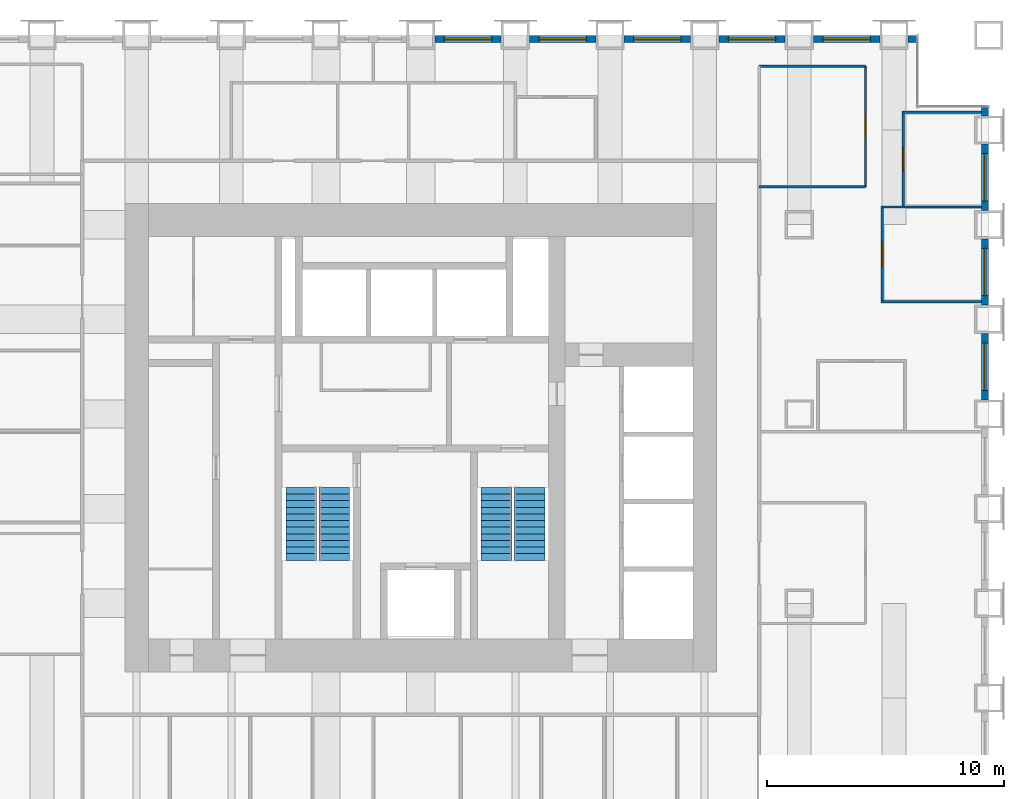
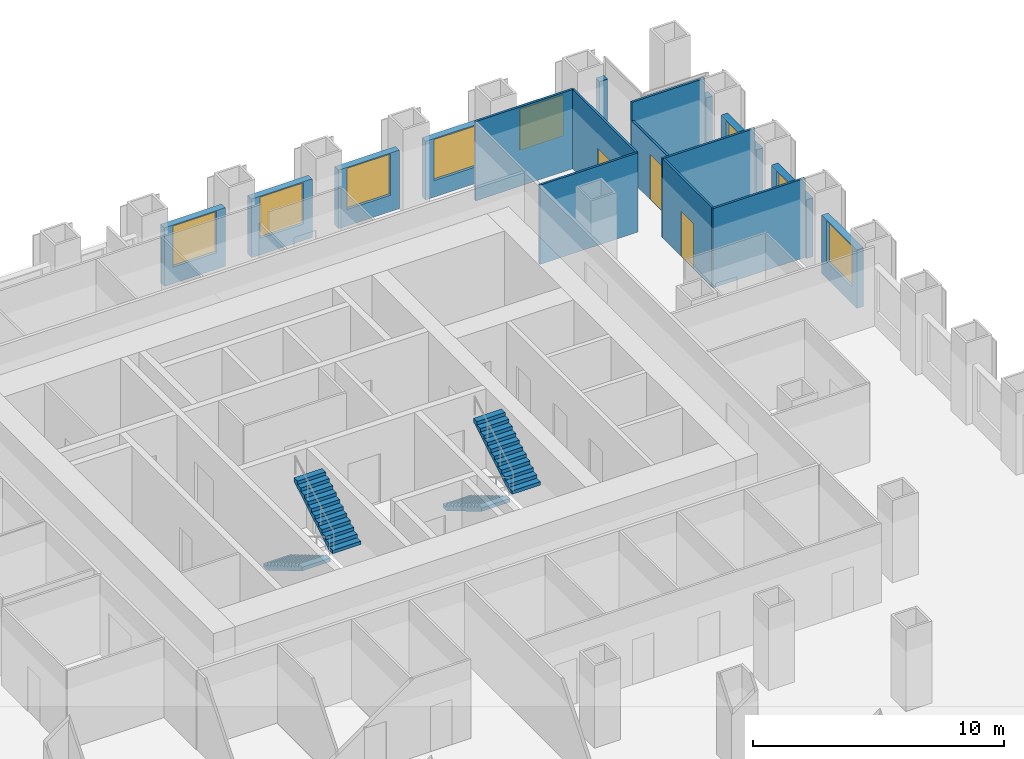
# One storey, part 12 of 14: 18 walls, 8 windows, 4 stair flights, 3 doors, 11 openings, 2 elements without a shape of their own.
"""IFC4 building model written with IfcOpenShell, lengths in metres."""

from ifc_helpers import new_model, si_unit, direction, frame, frame_2d, origin, place, context, subcontext, project, spatial, polyline, rectangle, outline, extrude, material, layer, layer_set, type_object, element, fill, aggregate, save


model = new_model("IFC4")

# Units and contexts
model_context = context("Model", 3, precision=1e-05, world=origin(), true_north=direction((0.0, 1.0)))
body_context = subcontext(model_context, "Body", "Model", "MODEL_VIEW")
ifc_project = project(units=[si_unit("LENGTHUNIT", "METRE"), si_unit("AREAUNIT", "SQUARE_METRE"), si_unit("VOLUMEUNIT", "CUBIC_METRE"), si_unit("PLANEANGLEUNIT", "RADIAN"), si_unit("MASSUNIT", "GRAM", prefix="KILO")], contexts=[model_context])

# Site, building, storey
site_placement = place(None, origin())
site = spatial("IfcSite", under=ifc_project, at=site_placement, CompositionType="ELEMENT")
building_placement = place(site_placement, origin())
building = spatial("IfcBuilding", under=site, at=building_placement, Name="Rimbunsela Tower", CompositionType="ELEMENT")
storey_placement = place(building_placement, frame((0.0, 0.0, 15.0)))
storey = spatial("IfcBuildingStorey", under=building, at=storey_placement, Name="L03", CompositionType="ELEMENT", Elevation=15.0)

# Walls
ifc_material_1 = material(Name="Gypsum board on steel studs", Category="steel")
ifc_layer_1 = layer(ifc_material_1, 0.10009765625)
ifc_layer_set_1 = layer_set([ifc_layer_1], Name="Office partition 100")
wall_type_1 = type_object("IfcWallType", Name="Office partition 100", PredefinedType="PARTITIONING", material=ifc_layer_set_1)
for number, where, z_axis, x_axis, name in (
    (1, (49.449951171875, 32.75, 0.0), (0.0, 0.0, 1.0), (1.0, 0.0, 0.0), "Office partition"),
    (2, (49.449951171875, 36.75, 0.0), (0.0, 0.0, 1.0), (1.0, 0.0, 0.0), "Office partition"),
):
    element("IfcWall", number, at=place(storey_placement, frame(where, z_axis=z_axis, x_axis=x_axis)), inside=storey, type_object=wall_type_1, Name=name, PredefinedType="PARTITIONING", context=body_context, shape_type="SweptSolid", body=[
        extrude(rectangle(XDim=4.25, YDim=0.10009765625, at=frame_2d((2.125, 0.0))), origin(), (0.0, 0.0, 1.0), 3.85009765625),
    ])
wall_1_placement = place(storey_placement, frame((50.35009765625, 40.75, 0.0), z_axis=(0.0, 0.0, 1.0), x_axis=(1.0, 0.0, 0.0)))
element("IfcWall", 3, at=wall_1_placement, inside=storey, type_object=wall_type_1, Name="Office partition", PredefinedType="PARTITIONING", context=body_context, shape_type="SweptSolid", body=[
    extrude(rectangle(XDim=3.349853515625, YDim=0.10009765625, at=frame_2d((1.6748046875, 0.0))), origin(), (0.0, 0.0, 1.0), 3.85009765625),
])

# Wall, opening, door
wall_2_placement = place(storey_placement, frame((49.5, 32.800048828125, 0.0), z_axis=(0.0, 0.0, 1.0), x_axis=(0.0, 1.0, 0.0)))
wall_2 = element("IfcWall", 4, at=wall_2_placement, inside=storey, type_object=wall_type_1, Name="Office partition", PredefinedType="PARTITIONING", context=body_context, shape_type="SweptSolid", body=[
    extrude(rectangle(XDim=3.89990234375, YDim=0.10009765625, at=frame_2d((1.949951171875, 0.0))), origin(), (0.0, 0.0, 1.0), 3.85009765625),
])
opening_1_placement = place(wall_2_placement, frame((1.449951171875, 0.0, 0.0)))
opening_1 = element("IfcOpeningElement", 5, at=opening_1_placement, cuts=wall_2, Name="Opening D16", PredefinedType="OPENING", context=body_context, shape_type="SweptSolid", body=[
    extrude(rectangle(XDim=1.0, YDim=2.199951171875, at=frame_2d((0.5, 1.10009765625))), frame((0.0, 0.06005859375, 0.0), z_axis=(0.0, -1.0, 0.0), x_axis=(1.0, 0.0, 0.0)), (0.0, 0.0, 1.0), 0.1201171875),
])
ifc_material_2 = material(Name="Timber door", Category="wood")
door_type_1 = type_object("IfcDoorType", Name="Office door 1000", OperationType="SINGLE_SWING_LEFT", PredefinedType="DOOR", material=ifc_material_2)
door_1_placement = place(opening_1_placement, origin())
door_1 = element("IfcDoor", 6, at=door_1_placement, inside=storey, type_object=door_type_1, Name="Office door", OperationType="SINGLE_SWING_LEFT", OverallHeight=2.199951171875, OverallWidth=1.0, PredefinedType="DOOR", context=body_context, shape_type="SweptSolid", body=[
    extrude(rectangle(XDim=1.0, YDim=2.199951171875, at=frame_2d((0.5, 1.10009765625))), frame((0.0, 0.02490234375, 0.0), z_axis=(0.0, -1.0, 0.0), x_axis=(1.0, 0.0, 0.0)), (0.0, 0.0, 1.0), 0.050048828125),
])
fill(opening_1, door_1)

wall_3_placement = place(storey_placement, frame((50.39990234375, 36.800048828125, 0.0), z_axis=(0.0, 0.0, 1.0), x_axis=(0.0, 1.0, 0.0)))
wall_3 = element("IfcWall", 7, at=wall_3_placement, inside=storey, type_object=wall_type_1, Name="Office partition", PredefinedType="PARTITIONING", context=body_context, shape_type="SweptSolid", body=[
    extrude(rectangle(XDim=3.949951171875, YDim=0.10009765625, at=frame_2d((1.97509765625, 0.0))), origin(), (0.0, 0.0, 1.0), 2.949951171875),
])
opening_2_placement = place(wall_3_placement, frame((1.449951171875, 0.0, 0.0)))
opening_2 = element("IfcOpeningElement", 8, at=opening_2_placement, cuts=wall_3, Name="Opening D16", PredefinedType="OPENING", context=body_context, shape_type="SweptSolid", body=[
    extrude(rectangle(XDim=1.0, YDim=2.199951171875, at=frame_2d((0.5, 1.10009765625))), frame((0.0, 0.06005859375, 0.0), z_axis=(0.0, -1.0, 0.0), x_axis=(1.0, 0.0, 0.0)), (0.0, 0.0, 1.0), 0.1201171875),
])
door_2_placement = place(opening_2_placement, origin())
door_2 = element("IfcDoor", 9, at=door_2_placement, inside=storey, type_object=door_type_1, Name="Office door", OperationType="SINGLE_SWING_LEFT", OverallHeight=2.199951171875, OverallWidth=1.0, PredefinedType="DOOR", context=body_context, shape_type="SweptSolid", body=[
    extrude(rectangle(XDim=1.0, YDim=2.199951171875, at=frame_2d((0.5, 1.10009765625))), frame((0.0, 0.02490234375, 0.0), z_axis=(0.0, -1.0, 0.0), x_axis=(1.0, 0.0, 0.0)), (0.0, 0.0, 1.0), 0.050048828125),
])
fill(opening_2, door_2)

# Wall
wall_4_placement = place(storey_placement, frame((44.300048828125, 37.60009765625, 0.0), z_axis=(0.0, 0.0, 1.0), x_axis=(1.0, 0.0, 0.0)))
element("IfcWall", 10, at=wall_4_placement, inside=storey, type_object=wall_type_1, Name="Office partition", PredefinedType="PARTITIONING", context=body_context, shape_type="SweptSolid", body=[
    extrude(rectangle(XDim=4.5, YDim=0.10009765625, at=frame_2d((2.25, 0.0))), origin(), (0.0, 0.0, 1.0), 3.85009765625),
])

# Wall, opening, door
wall_5_placement = place(storey_placement, frame((48.800048828125, 37.60009765625, 0.0), z_axis=(0.0, 0.0, 1.0), x_axis=(0.0, 1.0, 0.0)))
wall_5 = element("IfcWall", 11, at=wall_5_placement, inside=storey, type_object=wall_type_1, Name="Office partition", PredefinedType="PARTITIONING", context=body_context, shape_type="SweptSolid", body=[
    extrude(rectangle(XDim=5.099853515625, YDim=0.10009765625, at=frame_2d((2.5498046875, 0.0))), origin(), (0.0, 0.0, 1.0), 3.85009765625),
])
opening_3_placement = place(wall_5_placement, frame((2.050048828125, 0.0, 0.0)))
opening_3 = element("IfcOpeningElement", 12, at=opening_3_placement, cuts=wall_5, Name="Opening D17", PredefinedType="OPENING", context=body_context, shape_type="SweptSolid", body=[
    extrude(rectangle(XDim=1.0, YDim=2.199951171875, at=frame_2d((0.5, 1.10009765625))), frame((0.0, 0.06005859375, 0.0), z_axis=(0.0, -1.0, 0.0), x_axis=(1.0, 0.0, 0.0)), (0.0, 0.0, 1.0), 0.1201171875),
])
ifc_material_3 = material(Name="Glazed aluminium door", Category="aluminium")
door_type_2 = type_object("IfcDoorType", Name="Meeting room door 1000 glazed", OperationType="SINGLE_SWING_RIGHT", PredefinedType="DOOR", material=ifc_material_3)
door_3_placement = place(opening_3_placement, origin())
door_3 = element("IfcDoor", 13, at=door_3_placement, inside=storey, type_object=door_type_2, Name="Reception door", OperationType="SINGLE_SWING_RIGHT", OverallHeight=2.199951171875, OverallWidth=1.0, PredefinedType="DOOR", context=body_context, shape_type="SweptSolid", body=[
    extrude(rectangle(XDim=1.0, YDim=2.199951171875, at=frame_2d((0.5, 1.10009765625))), frame((0.0, 0.02490234375, 0.0), z_axis=(0.0, -1.0, 0.0), x_axis=(1.0, 0.0, 0.0)), (0.0, 0.0, 1.0), 0.050048828125),
])
fill(opening_3, door_3)

# Wall
wall_6_placement = place(storey_placement, frame((48.800048828125, 42.699951171875, 0.0), z_axis=(0.0, 0.0, 1.0), x_axis=(-1.0, 0.0, 0.0)))
element("IfcWall", 14, at=wall_6_placement, inside=storey, type_object=wall_type_1, Name="Office partition", PredefinedType="PARTITIONING", context=body_context, shape_type="SweptSolid", body=[
    extrude(rectangle(XDim=4.5, YDim=0.10009765625, at=frame_2d((2.25, 0.0))), origin(), (0.0, 0.0, 1.0), 3.85009765625),
])

# Wall, opening, window
ifc_material_4 = material(Name="Precast concrete fc' 35 MPa", Category="concrete")
ifc_layer_2 = layer(ifc_material_4, 0.300048828125)
ifc_layer_set_2 = layer_set([ifc_layer_2], Name="Precast concrete fc' 35 MPa")
wall_type_2 = type_object("IfcWallType", Name="Precast facade panel 300", PredefinedType="ELEMENTEDWALL", material=ifc_layer_set_2)
wall_7_placement = place(storey_placement, frame((53.85009765625, 28.60009765625, 0.0), z_axis=(0.0, 0.0, 1.0), x_axis=(0.0, 1.0, 0.0)))
wall_7 = element("IfcWall", 15, at=wall_7_placement, inside=storey, type_object=wall_type_2, Name="Facade panel E L03", PredefinedType="ELEMENTEDWALL", context=body_context, shape_type="SweptSolid", body=[
    extrude(rectangle(XDim=2.7998046875, YDim=0.300048828125, at=frame_2d((1.39990234375, 0.0))), origin(), (0.0, 0.0, 1.0), 2.85009765625),
])
opening_4_placement = place(wall_7_placement, frame((0.39990234375, 0.0, 0.800048828125)))
opening_4 = element("IfcOpeningElement", 16, at=opening_4_placement, cuts=wall_7, Name="Opening W1", PredefinedType="OPENING", context=body_context, shape_type="SweptSolid", body=[
    extrude(rectangle(XDim=2.0, YDim=2.0, at=frame_2d((1.0, 1.0))), frame((0.0, 0.159912109375, 0.0), z_axis=(0.0, -1.0, 0.0), x_axis=(1.0, 0.0, 0.0)), (0.0, 0.0, 1.0), 0.320068359375),
])
ifc_material_5 = material(Name="Clear glass in aluminium frame", Category="aluminium")
window_type = type_object("IfcWindowType", Name="Window W1 2000x2000", PartitioningType="DOUBLE_PANEL_VERTICAL", PredefinedType="WINDOW", material=ifc_material_5)
window_1_placement = place(opening_4_placement, origin())
window_1 = element("IfcWindow", 17, at=window_1_placement, inside=storey, type_object=window_type, Name="Window L03", OverallHeight=2.0, OverallWidth=2.0, PartitioningType="SINGLE_PANEL", PredefinedType="WINDOW", context=body_context, shape_type="SweptSolid", body=[
    extrude(rectangle(XDim=2.0, YDim=2.0, at=frame_2d((1.0, 1.0))), frame((0.0, 0.030029296875, 0.0), z_axis=(0.0, -1.0, 0.0), x_axis=(1.0, 0.0, 0.0)), (0.0, 0.0, 1.0), 0.06005859375),
])
fill(opening_4, window_1)

wall_8_placement = place(storey_placement, frame((53.85009765625, 32.60009765625, 0.0), z_axis=(0.0, 0.0, 1.0), x_axis=(0.0, 1.0, 0.0)))
wall_8 = element("IfcWall", 18, at=wall_8_placement, inside=storey, type_object=wall_type_2, Name="Facade panel E L03", PredefinedType="ELEMENTEDWALL", context=body_context, shape_type="SweptSolid", body=[
    extrude(rectangle(XDim=2.7998046875, YDim=0.300048828125, at=frame_2d((1.39990234375, 0.0))), origin(), (0.0, 0.0, 1.0), 2.85009765625),
])
opening_5_placement = place(wall_8_placement, frame((0.39990234375, 0.0, 0.800048828125)))
opening_5 = element("IfcOpeningElement", 19, at=opening_5_placement, cuts=wall_8, Name="Opening W1", PredefinedType="OPENING", context=body_context, shape_type="SweptSolid", body=[
    extrude(rectangle(XDim=2.0, YDim=2.0, at=frame_2d((1.0, 1.0))), frame((0.0, 0.159912109375, 0.0), z_axis=(0.0, -1.0, 0.0), x_axis=(1.0, 0.0, 0.0)), (0.0, 0.0, 1.0), 0.320068359375),
])
window_2_placement = place(opening_5_placement, origin())
window_2 = element("IfcWindow", 20, at=window_2_placement, inside=storey, type_object=window_type, Name="Window L03", OverallHeight=2.0, OverallWidth=2.0, PartitioningType="SINGLE_PANEL", PredefinedType="WINDOW", context=body_context, shape_type="SweptSolid", body=[
    extrude(rectangle(XDim=2.0, YDim=2.0, at=frame_2d((1.0, 1.0))), frame((0.0, 0.030029296875, 0.0), z_axis=(0.0, -1.0, 0.0), x_axis=(1.0, 0.0, 0.0)), (0.0, 0.0, 1.0), 0.06005859375),
])
fill(opening_5, window_2)

wall_9_placement = place(storey_placement, frame((53.85009765625, 36.60009765625, 0.0), z_axis=(0.0, 0.0, 1.0), x_axis=(0.0, 1.0, 0.0)))
wall_9 = element("IfcWall", 21, at=wall_9_placement, inside=storey, type_object=wall_type_2, Name="Facade panel E L03", PredefinedType="ELEMENTEDWALL", context=body_context, shape_type="SweptSolid", body=[
    extrude(rectangle(XDim=2.7998046875, YDim=0.300048828125, at=frame_2d((1.39990234375, 0.0))), origin(), (0.0, 0.0, 1.0), 2.85009765625),
])
opening_6_placement = place(wall_9_placement, frame((0.39990234375, 0.0, 0.800048828125)))
opening_6 = element("IfcOpeningElement", 22, at=opening_6_placement, cuts=wall_9, Name="Opening W1", PredefinedType="OPENING", context=body_context, shape_type="SweptSolid", body=[
    extrude(rectangle(XDim=2.0, YDim=2.0, at=frame_2d((1.0, 1.0))), frame((0.0, 0.159912109375, 0.0), z_axis=(0.0, -1.0, 0.0), x_axis=(1.0, 0.0, 0.0)), (0.0, 0.0, 1.0), 0.320068359375),
])
window_3_placement = place(opening_6_placement, origin())
window_3 = element("IfcWindow", 23, at=window_3_placement, inside=storey, type_object=window_type, Name="Window L03", OverallHeight=2.0, OverallWidth=2.0, PartitioningType="SINGLE_PANEL", PredefinedType="WINDOW", context=body_context, shape_type="SweptSolid", body=[
    extrude(rectangle(XDim=2.0, YDim=2.0, at=frame_2d((1.0, 1.0))), frame((0.0, 0.030029296875, 0.0), z_axis=(0.0, -1.0, 0.0), x_axis=(1.0, 0.0, 0.0)), (0.0, 0.0, 1.0), 0.06005859375),
])
fill(opening_6, window_3)

# Wall
wall_10_placement = place(storey_placement, frame((53.85009765625, 40.60009765625, 0.0), z_axis=(0.0, 0.0, 1.0), x_axis=(0.0, 1.0, 0.0)))
element("IfcWall", 24, at=wall_10_placement, inside=storey, type_object=wall_type_2, Name="Facade panel E L03", PredefinedType="ELEMENTEDWALL", context=body_context, shape_type="SweptSolid", body=[
    extrude(rectangle(XDim=0.369873046875, YDim=0.300048828125, at=frame_2d((0.18505859375, 0.0))), origin(), (0.0, 0.0, 1.0), 2.949951171875),
])

# Wall, opening, window
wall_11_placement = place(storey_placement, frame((33.39990234375, 43.85009765625, 0.0), z_axis=(0.0, 0.0, 1.0), x_axis=(-1.0, 0.0, 0.0)))
wall_11 = element("IfcWall", 25, at=wall_11_placement, inside=storey, type_object=wall_type_2, Name="Facade panel N L03", PredefinedType="ELEMENTEDWALL", context=body_context, shape_type="SweptSolid", body=[
    extrude(rectangle(XDim=2.7998046875, YDim=0.300048828125, at=frame_2d((1.39990234375, 0.0))), origin(), (0.0, 0.0, 1.0), 2.85009765625),
])
opening_7_placement = place(wall_11_placement, frame((0.39990234375, 0.0, 0.800048828125)))
opening_7 = element("IfcOpeningElement", 26, at=opening_7_placement, cuts=wall_11, Name="Opening W1", PredefinedType="OPENING", context=body_context, shape_type="SweptSolid", body=[
    extrude(rectangle(XDim=2.0, YDim=2.0, at=frame_2d((1.0, 1.0))), frame((0.0, 0.159912109375, 0.0), z_axis=(0.0, -1.0, 0.0), x_axis=(1.0, 0.0, 0.0)), (0.0, 0.0, 1.0), 0.320068359375),
])
window_4_placement = place(opening_7_placement, origin())
window_4 = element("IfcWindow", 27, at=window_4_placement, inside=storey, type_object=window_type, Name="Window L03", OverallHeight=2.0, OverallWidth=2.0, PartitioningType="SINGLE_PANEL", PredefinedType="WINDOW", context=body_context, shape_type="SweptSolid", body=[
    extrude(rectangle(XDim=2.0, YDim=2.0, at=frame_2d((1.0, 1.0))), frame((0.0, 0.030029296875, 0.0), z_axis=(0.0, -1.0, 0.0), x_axis=(1.0, 0.0, 0.0)), (0.0, 0.0, 1.0), 0.06005859375),
])
fill(opening_7, window_4)

wall_12_placement = place(storey_placement, frame((37.39990234375, 43.85009765625, 0.0), z_axis=(0.0, 0.0, 1.0), x_axis=(-1.0, 0.0, 0.0)))
wall_12 = element("IfcWall", 28, at=wall_12_placement, inside=storey, type_object=wall_type_2, Name="Facade panel N L03", PredefinedType="ELEMENTEDWALL", context=body_context, shape_type="SweptSolid", body=[
    extrude(rectangle(XDim=2.7998046875, YDim=0.300048828125, at=frame_2d((1.39990234375, 0.0))), origin(), (0.0, 0.0, 1.0), 2.85009765625),
])
opening_8_placement = place(wall_12_placement, frame((0.39990234375, 0.0, 0.800048828125)))
opening_8 = element("IfcOpeningElement", 29, at=opening_8_placement, cuts=wall_12, Name="Opening W1", PredefinedType="OPENING", context=body_context, shape_type="SweptSolid", body=[
    extrude(rectangle(XDim=2.0, YDim=2.0, at=frame_2d((1.0, 1.0))), frame((0.0, 0.159912109375, 0.0), z_axis=(0.0, -1.0, 0.0), x_axis=(1.0, 0.0, 0.0)), (0.0, 0.0, 1.0), 0.320068359375),
])
window_5_placement = place(opening_8_placement, origin())
window_5 = element("IfcWindow", 30, at=window_5_placement, inside=storey, type_object=window_type, Name="Window L03", OverallHeight=2.0, OverallWidth=2.0, PartitioningType="SINGLE_PANEL", PredefinedType="WINDOW", context=body_context, shape_type="SweptSolid", body=[
    extrude(rectangle(XDim=2.0, YDim=2.0, at=frame_2d((1.0, 1.0))), frame((0.0, 0.030029296875, 0.0), z_axis=(0.0, -1.0, 0.0), x_axis=(1.0, 0.0, 0.0)), (0.0, 0.0, 1.0), 0.06005859375),
])
fill(opening_8, window_5)

wall_13_placement = place(storey_placement, frame((41.39990234375, 43.85009765625, 0.0), z_axis=(0.0, 0.0, 1.0), x_axis=(-1.0, 0.0, 0.0)))
wall_13 = element("IfcWall", 31, at=wall_13_placement, inside=storey, type_object=wall_type_2, Name="Facade panel N L03", PredefinedType="ELEMENTEDWALL", context=body_context, shape_type="SweptSolid", body=[
    extrude(rectangle(XDim=2.7998046875, YDim=0.300048828125, at=frame_2d((1.39990234375, 0.0))), origin(), (0.0, 0.0, 1.0), 2.85009765625),
])
opening_9_placement = place(wall_13_placement, frame((0.39990234375, 0.0, 0.800048828125)))
opening_9 = element("IfcOpeningElement", 32, at=opening_9_placement, cuts=wall_13, Name="Opening W1", PredefinedType="OPENING", context=body_context, shape_type="SweptSolid", body=[
    extrude(rectangle(XDim=2.0, YDim=2.0, at=frame_2d((1.0, 1.0))), frame((0.0, 0.159912109375, 0.0), z_axis=(0.0, -1.0, 0.0), x_axis=(1.0, 0.0, 0.0)), (0.0, 0.0, 1.0), 0.320068359375),
])
window_6_placement = place(opening_9_placement, origin())
window_6 = element("IfcWindow", 33, at=window_6_placement, inside=storey, type_object=window_type, Name="Window L03", OverallHeight=2.0, OverallWidth=2.0, PartitioningType="SINGLE_PANEL", PredefinedType="WINDOW", context=body_context, shape_type="SweptSolid", body=[
    extrude(rectangle(XDim=2.0, YDim=2.0, at=frame_2d((1.0, 1.0))), frame((0.0, 0.030029296875, 0.0), z_axis=(0.0, -1.0, 0.0), x_axis=(1.0, 0.0, 0.0)), (0.0, 0.0, 1.0), 0.06005859375),
])
fill(opening_9, window_6)

wall_14_placement = place(storey_placement, frame((45.39990234375, 43.85009765625, 0.0), z_axis=(0.0, 0.0, 1.0), x_axis=(-1.0, 0.0, 0.0)))
wall_14 = element("IfcWall", 34, at=wall_14_placement, inside=storey, type_object=wall_type_2, Name="Facade panel N L03", PredefinedType="ELEMENTEDWALL", context=body_context, shape_type="SweptSolid", body=[
    extrude(rectangle(XDim=2.7998046875, YDim=0.300048828125, at=frame_2d((1.39990234375, 0.0))), origin(), (0.0, 0.0, 1.0), 2.85009765625),
])
opening_10_placement = place(wall_14_placement, frame((0.39990234375, 0.0, 0.800048828125)))
opening_10 = element("IfcOpeningElement", 35, at=opening_10_placement, cuts=wall_14, Name="Opening W1", PredefinedType="OPENING", context=body_context, shape_type="SweptSolid", body=[
    extrude(rectangle(XDim=2.0, YDim=2.0, at=frame_2d((1.0, 1.0))), frame((0.0, 0.159912109375, 0.0), z_axis=(0.0, -1.0, 0.0), x_axis=(1.0, 0.0, 0.0)), (0.0, 0.0, 1.0), 0.320068359375),
])
window_7_placement = place(opening_10_placement, origin())
window_7 = element("IfcWindow", 36, at=window_7_placement, inside=storey, type_object=window_type, Name="Window L03", OverallHeight=2.0, OverallWidth=2.0, PartitioningType="SINGLE_PANEL", PredefinedType="WINDOW", context=body_context, shape_type="SweptSolid", body=[
    extrude(rectangle(XDim=2.0, YDim=2.0, at=frame_2d((1.0, 1.0))), frame((0.0, 0.030029296875, 0.0), z_axis=(0.0, -1.0, 0.0), x_axis=(1.0, 0.0, 0.0)), (0.0, 0.0, 1.0), 0.06005859375),
])
fill(opening_10, window_7)

wall_15_placement = place(storey_placement, frame((49.39990234375, 43.85009765625, 0.0), z_axis=(0.0, 0.0, 1.0), x_axis=(-1.0, 0.0, 0.0)))
wall_15 = element("IfcWall", 37, at=wall_15_placement, inside=storey, type_object=wall_type_2, Name="Facade panel N L03", PredefinedType="ELEMENTEDWALL", context=body_context, shape_type="SweptSolid", body=[
    extrude(rectangle(XDim=2.7998046875, YDim=0.300048828125, at=frame_2d((1.39990234375, 0.0))), origin(), (0.0, 0.0, 1.0), 2.85009765625),
])
opening_11_placement = place(wall_15_placement, frame((0.39990234375, 0.0, 0.800048828125)))
opening_11 = element("IfcOpeningElement", 38, at=opening_11_placement, cuts=wall_15, Name="Opening W1", PredefinedType="OPENING", context=body_context, shape_type="SweptSolid", body=[
    extrude(rectangle(XDim=2.0, YDim=2.0, at=frame_2d((1.0, 1.0))), frame((0.0, 0.159912109375, 0.0), z_axis=(0.0, -1.0, 0.0), x_axis=(1.0, 0.0, 0.0)), (0.0, 0.0, 1.0), 0.320068359375),
])
window_8_placement = place(opening_11_placement, origin())
window_8 = element("IfcWindow", 39, at=window_8_placement, inside=storey, type_object=window_type, Name="Window L03", OverallHeight=2.0, OverallWidth=2.0, PartitioningType="SINGLE_PANEL", PredefinedType="WINDOW", context=body_context, shape_type="SweptSolid", body=[
    extrude(rectangle(XDim=2.0, YDim=2.0, at=frame_2d((1.0, 1.0))), frame((0.0, 0.030029296875, 0.0), z_axis=(0.0, -1.0, 0.0), x_axis=(1.0, 0.0, 0.0)), (0.0, 0.0, 1.0), 0.06005859375),
])
fill(opening_11, window_8)

# Wall
wall_16_placement = place(storey_placement, frame((50.969970703125, 43.85009765625, 0.0), z_axis=(0.0, 0.0, 1.0), x_axis=(-1.0, 0.0, 0.0)))
element("IfcWall", 40, at=wall_16_placement, inside=storey, type_object=wall_type_2, Name="Facade panel N L03", PredefinedType="ELEMENTEDWALL", context=body_context, shape_type="SweptSolid", body=[
    extrude(rectangle(XDim=0.369873046875, YDim=0.300048828125, at=frame_2d((0.18505859375, 0.0))), origin(), (0.0, 0.0, 1.0), 2.949951171875),
])

# Stair, stair flights
ifc_material_6 = material(Name="Concrete fc' 35 MPa", Category="concrete")
stair_type = type_object("IfcStairType", Name="Exit stair 24 risers", PredefinedType="HALF_TURN_STAIR", material=ifc_material_6)
stair_1_placement = place(storey_placement, origin())
stair_1 = element("IfcStair", 41, at=stair_1_placement, inside=storey, type_object=stair_type, Name="Exit stair A L03", PredefinedType="HALF_TURN_STAIR")
ifc_material_7 = material(Name="Concrete fc' 35 MPa", Category="concrete")
stair_flight_type = type_object("IfcStairFlightType", Name="Stair flight 12 risers 167", PredefinedType="STRAIGHT", material=ifc_material_7)
stair_flight_1_placement = place(storey_placement, frame((24.949951171875, 24.89990234375, 0.0), z_axis=(0.0, 0.0, 1.0), x_axis=(0.0, -1.0, 0.0)))
stair_flight_1 = element("IfcStairFlight", 42, at=stair_flight_1_placement, type_object=stair_flight_type, Name="ST-A flight 1", NumberOfRisers=12, NumberOfTreads=11, PredefinedType="STRAIGHT", RiserHeight=0.166666667, TreadLength=0.28, context=body_context, shape_type="SweptSolid", body=[
    extrude(outline(polyline([(0.0, 0.0), (0.0, 0.166748046875), (0.280029296875, 0.166748046875), (0.280029296875, 0.333251953125), (0.56005859375, 0.333251953125), (0.56005859375, 0.5), (0.840087890625, 0.5), (0.840087890625, 0.666748046875), (1.1201171875, 0.666748046875), (1.1201171875, 0.833251953125), (1.39990234375, 0.833251953125), (1.39990234375, 1.0), (1.679931640625, 1.0), (1.679931640625, 1.166748046875), (1.9599609375, 1.166748046875), (1.9599609375, 1.333251953125), (2.239990234375, 1.333251953125), (2.239990234375, 1.5), (2.52001953125, 1.5), (2.52001953125, 1.666748046875), (2.800048828125, 1.666748046875), (2.800048828125, 1.833251953125), (3.080078125, 1.833251953125), (3.080078125, 2.0), (3.080078125, 1.658935546875), (0.29296875, 0.0), (0.0, 0.0)])), frame((0.0, 0.64990234375, 0.0), z_axis=(0.0, -1.0, 0.0), x_axis=(1.0, 0.0, 0.0)), (0.0, 0.0, 1.0), 1.300048828125),
])
stair_flight_2_placement = place(storey_placement, frame((26.35009765625, 21.820068359375, 2.0), z_axis=(0.0, 0.0, 1.0), x_axis=(0.0, 1.0, 0.0)))
stair_flight_2 = element("IfcStairFlight", 43, at=stair_flight_2_placement, type_object=stair_flight_type, Name="ST-A flight 2", NumberOfRisers=12, NumberOfTreads=11, PredefinedType="STRAIGHT", RiserHeight=0.166666667, TreadLength=0.28, context=body_context, shape_type="SweptSolid", body=[
    extrude(outline(polyline([(0.0, 0.0), (0.0, 0.166748046875), (0.280029296875, 0.166748046875), (0.280029296875, 0.333251953125), (0.56005859375, 0.333251953125), (0.56005859375, 0.5), (0.840087890625, 0.5), (0.840087890625, 0.666748046875), (1.1201171875, 0.666748046875), (1.1201171875, 0.833251953125), (1.39990234375, 0.833251953125), (1.39990234375, 1.0), (1.679931640625, 1.0), (1.679931640625, 1.166748046875), (1.9599609375, 1.166748046875), (1.9599609375, 1.333251953125), (2.239990234375, 1.333251953125), (2.239990234375, 1.5), (2.52001953125, 1.5), (2.52001953125, 1.666748046875), (2.800048828125, 1.666748046875), (2.800048828125, 1.833251953125), (3.080078125, 1.833251953125), (3.080078125, 2.0), (3.080078125, 1.658935546875), (0.29296875, 0.0), (0.0, 0.0)])), frame((0.0, 0.64990234375, 0.0), z_axis=(0.0, -1.0, 0.0), x_axis=(1.0, 0.0, 0.0)), (0.0, 0.0, 1.0), 1.300048828125),
])
aggregate(stair_1, [stair_flight_1, stair_flight_2])

stair_2_placement = place(storey_placement, origin())
stair_2 = element("IfcStair", 44, at=stair_2_placement, inside=storey, type_object=stair_type, Name="Exit stair B L03", PredefinedType="HALF_TURN_STAIR")
stair_flight_3_placement = place(storey_placement, frame((33.199951171875, 24.89990234375, 0.0), z_axis=(0.0, 0.0, 1.0), x_axis=(0.0, -1.0, 0.0)))
stair_flight_3 = element("IfcStairFlight", 45, at=stair_flight_3_placement, type_object=stair_flight_type, Name="ST-B flight 1", NumberOfRisers=12, NumberOfTreads=11, PredefinedType="STRAIGHT", RiserHeight=0.166666667, TreadLength=0.28, context=body_context, shape_type="SweptSolid", body=[
    extrude(outline(polyline([(0.0, 0.0), (0.0, 0.166748046875), (0.280029296875, 0.166748046875), (0.280029296875, 0.333251953125), (0.56005859375, 0.333251953125), (0.56005859375, 0.5), (0.840087890625, 0.5), (0.840087890625, 0.666748046875), (1.1201171875, 0.666748046875), (1.1201171875, 0.833251953125), (1.39990234375, 0.833251953125), (1.39990234375, 1.0), (1.679931640625, 1.0), (1.679931640625, 1.166748046875), (1.9599609375, 1.166748046875), (1.9599609375, 1.333251953125), (2.239990234375, 1.333251953125), (2.239990234375, 1.5), (2.52001953125, 1.5), (2.52001953125, 1.666748046875), (2.800048828125, 1.666748046875), (2.800048828125, 1.833251953125), (3.080078125, 1.833251953125), (3.080078125, 2.0), (3.080078125, 1.658935546875), (0.29296875, 0.0), (0.0, 0.0)])), frame((0.0, 0.64990234375, 0.0), z_axis=(0.0, -1.0, 0.0), x_axis=(1.0, 0.0, 0.0)), (0.0, 0.0, 1.0), 1.300048828125),
])
stair_flight_4_placement = place(storey_placement, frame((34.60009765625, 21.820068359375, 2.0), z_axis=(0.0, 0.0, 1.0), x_axis=(0.0, 1.0, 0.0)))
stair_flight_4 = element("IfcStairFlight", 46, at=stair_flight_4_placement, type_object=stair_flight_type, Name="ST-B flight 2", NumberOfRisers=12, NumberOfTreads=11, PredefinedType="STRAIGHT", RiserHeight=0.166666667, TreadLength=0.28, context=body_context, shape_type="SweptSolid", body=[
    extrude(outline(polyline([(0.0, 0.0), (0.0, 0.166748046875), (0.280029296875, 0.166748046875), (0.280029296875, 0.333251953125), (0.56005859375, 0.333251953125), (0.56005859375, 0.5), (0.840087890625, 0.5), (0.840087890625, 0.666748046875), (1.1201171875, 0.666748046875), (1.1201171875, 0.833251953125), (1.39990234375, 0.833251953125), (1.39990234375, 1.0), (1.679931640625, 1.0), (1.679931640625, 1.166748046875), (1.9599609375, 1.166748046875), (1.9599609375, 1.333251953125), (2.239990234375, 1.333251953125), (2.239990234375, 1.5), (2.52001953125, 1.5), (2.52001953125, 1.666748046875), (2.800048828125, 1.666748046875), (2.800048828125, 1.833251953125), (3.080078125, 1.833251953125), (3.080078125, 2.0), (3.080078125, 1.658935546875), (0.29296875, 0.0), (0.0, 0.0)])), frame((0.0, 0.64990234375, 0.0), z_axis=(0.0, -1.0, 0.0), x_axis=(1.0, 0.0, 0.0)), (0.0, 0.0, 1.0), 1.300048828125),
])
aggregate(stair_2, [stair_flight_3, stair_flight_4])

save(model, "model.ifc")
